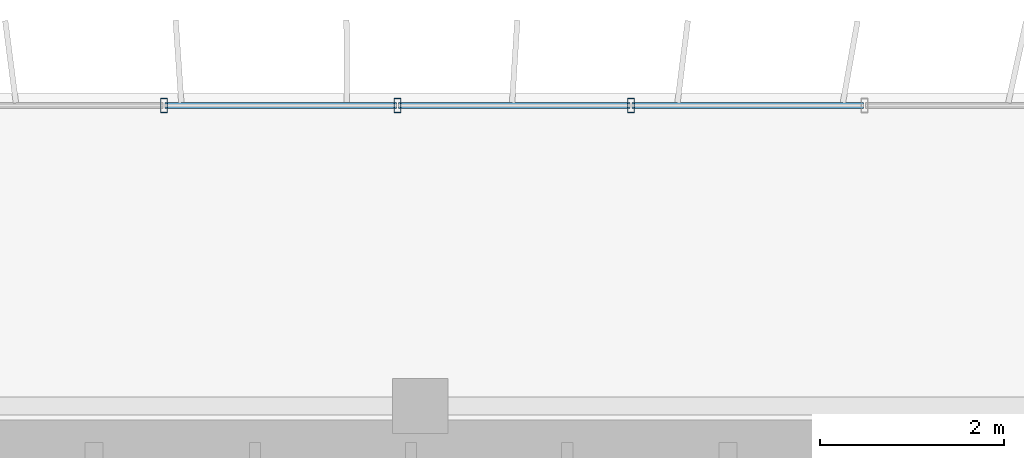
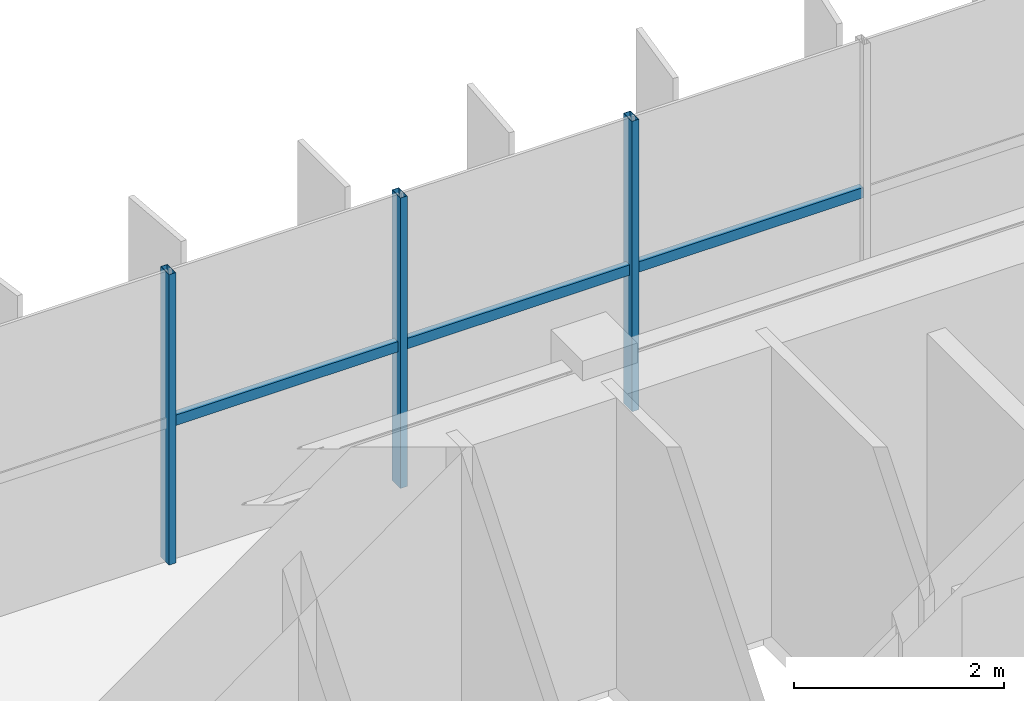
# One storey, part 11 of 22: 6 members, 1 element without a shape of its own.
"""IFC4 building model written with IfcOpenShell, lengths in metres."""

import ifcopenshell
import ifcopenshell.guid

model = None  # the IFC model being written
_history = None  # IfcOwnerHistory: only IFC2X3 demands one
_inside = {}  # id of a spatial element -> (the spatial element, [elements in it])
_under = {}  # id of a project, library or spatial element -> (it, [spatial elements below it])
_declared = {}  # id of a project -> (the project, [libraries it declares])
_typed = {}  # id of a type object -> (the type object, [elements of that type])
_made_of = {}  # id of a material, layer set ... -> (it, [elements and type objects made of it])


def new_model(schema):
    """Start an empty IFC model of exactly this schema.

    Asked for "IFC4X3", IfcOpenShell would pick the latest addendum, in which some entities
    have other attributes; the version numbers below select the first issue.
    IFC2X3 requires an IfcOwnerHistory on every rooted entity: one is made here for all.
    """
    global model, _history
    if schema == "IFC4X3":
        model = ifcopenshell.file(schema_version=(4, 3, 0, 0))
    else:
        model = ifcopenshell.file(schema=schema)
    _inside.clear()
    _under.clear()
    _declared.clear()
    _typed.clear()
    _made_of.clear()
    _history = None
    if model.schema == "IFC2X3":
        org = make("IfcOrganization", Name="unknown")
        user = make(
            "IfcPersonAndOrganization",
            ThePerson=make("IfcPerson", FamilyName="unknown"),
            TheOrganization=org,
        )
        app = make(
            "IfcApplication",
            ApplicationDeveloper=org,
            Version="unknown",
            ApplicationFullName="unknown",
            ApplicationIdentifier="unknown",
        )
        _history = make(
            "IfcOwnerHistory",
            OwningUser=user,
            OwningApplication=app,
            ChangeAction="ADDED",
            CreationDate=0,
        )
    return model


def make(cls, **values):
    """One entity of the class cls with the attributes given. An attribute that is None is left unset."""
    return model.create_entity(
        cls, **{name: value for name, value in values.items() if value is not None}
    )


def rooted(cls, **values):
    """An entity with a GlobalId (a new one), such as an element, a storey or a relation."""
    return make(cls, GlobalId=ifcopenshell.guid.new(), OwnerHistory=_history, **values)


def si_unit(unit_type, name, prefix=None):
    """IfcSIUnit, for example si_unit("LENGTHUNIT", "METRE", prefix="MILLI")."""
    return make("IfcSIUnit", UnitType=unit_type, Prefix=prefix, Name=name)


def assignment(units):
    """IfcUnitAssignment: the units of a project."""
    return None if units is None else make("IfcUnitAssignment", Units=units)


def point(xyz):
    """IfcCartesianPoint."""
    return None if xyz is None else make("IfcCartesianPoint", Coordinates=xyz)


def direction(xyz):
    """IfcDirection."""
    return None if xyz is None else make("IfcDirection", DirectionRatios=xyz)


def frame(location, z_axis=None, x_axis=None):
    """IfcAxis2Placement3D, a coordinate frame: its origin and axes. An axis left out is left unset."""
    return make(
        "IfcAxis2Placement3D",
        Location=point(location),
        Axis=direction(z_axis),
        RefDirection=direction(x_axis),
    )


def frame_2d(location, x_axis=None):
    """IfcAxis2Placement2D, a coordinate frame in the plane: its origin and x axis."""
    return make(
        "IfcAxis2Placement2D", Location=point(location), RefDirection=direction(x_axis)
    )


def origin():
    """The frame at (0, 0, 0) with its axes left unset."""
    return frame((0.0, 0.0, 0.0))


def origin_2d():
    """The frame at (0, 0) in the plane with its x axis left unset."""
    return frame_2d((0.0, 0.0))


def place(relative_to, where):
    """IfcLocalPlacement: puts the frame where relative to a parent placement (None: the world)."""
    return make(
        "IfcLocalPlacement", PlacementRelTo=relative_to, RelativePlacement=where
    )


def context(
    kind, dimensions, precision=None, world=None, true_north=None, identifier=None
):
    """IfcGeometricRepresentationContext, for example the 3D "Model" context."""
    return make(
        "IfcGeometricRepresentationContext",
        ContextIdentifier=identifier,
        ContextType=kind,
        CoordinateSpaceDimension=dimensions,
        Precision=precision,
        WorldCoordinateSystem=world,
        TrueNorth=true_north,
    )


def subcontext(parent, identifier, kind, view, scale=None):
    """IfcGeometricRepresentationSubContext, for example "Body" below "Model"."""
    return make(
        "IfcGeometricRepresentationSubContext",
        ContextIdentifier=identifier,
        ContextType=kind,
        ParentContext=parent,
        TargetScale=scale,
        TargetView=view,
    )


def project(units=None, contexts=None):
    """IfcProject with its units and contexts."""
    return rooted(
        "IfcProject",
        Name="project",
        RepresentationContexts=contexts,
        UnitsInContext=assignment(units),
    )


def spatial(cls, under=None, at=None, **own):
    """A site, building, storey or space (cls), placed at a placement, below another one or the project."""
    s = rooted(cls, ObjectPlacement=at, **own)
    if under is not None:
        _under.setdefault(under.id(), (under, []))[1].append(s)
    return s


def profile(cls, at=None, kind="AREA", **sizes):
    """A parametric profile (cls). Its sizes go by their IFC names, for example OverallWidth=200.0."""
    return make(cls, ProfileType=kind, Position=at, **sizes)


def hollow_rectangle(**sizes):
    """IfcRectangleHollowProfileDef."""
    return profile("IfcRectangleHollowProfileDef", **sizes)


def extrude(swept, where, along, depth):
    """IfcExtrudedAreaSolid: the profile swept, set in the frame where, extruded along a direction by depth."""
    return make(
        "IfcExtrudedAreaSolid",
        SweptArea=swept,
        Position=where,
        ExtrudedDirection=direction(along),
        Depth=depth,
    )


def shape(context_of_items, identifier, shape_type, items):
    """IfcShapeRepresentation: the items that make up one representation, for example the "Body"."""
    return make(
        "IfcShapeRepresentation",
        ContextOfItems=context_of_items,
        RepresentationIdentifier=identifier,
        RepresentationType=shape_type,
        Items=items,
    )


def source(mapping_origin, context_of_items, identifier, shape_type, items):
    """IfcRepresentationMap: a shape defined once, which mapped items show again and again."""
    return make(
        "IfcRepresentationMap",
        MappingOrigin=mapping_origin,
        MappedRepresentation=shape(context_of_items, identifier, shape_type, items),
    )


def transform(
    local_origin,
    x_axis=None,
    y_axis=None,
    z_axis=None,
    scale=None,
    scale2=None,
    scale3=None,
    uniform=True,
):
    """IfcCartesianTransformationOperator3D, or its non-uniform kind. x_axis, y_axis, z_axis: its Axis1, 2, 3."""
    if uniform:
        return make(
            "IfcCartesianTransformationOperator3D",
            Axis1=direction(x_axis),
            Axis2=direction(y_axis),
            LocalOrigin=point(local_origin),
            Scale=scale,
            Axis3=direction(z_axis),
        )
    return make(
        "IfcCartesianTransformationOperator3DnonUniform",
        Axis1=direction(x_axis),
        Axis2=direction(y_axis),
        LocalOrigin=point(local_origin),
        Scale=scale,
        Axis3=direction(z_axis),
        Scale2=scale2,
        Scale3=scale3,
    )


def mapped(mapping_source, mapping_target):
    """IfcMappedItem: shows the shape of a source again, moved by a transform."""
    return make(
        "IfcMappedItem", MappingSource=mapping_source, MappingTarget=mapping_target
    )


def material(Name=None, Category=None):
    """IfcMaterial."""
    return make("IfcMaterial", Name=Name, Category=Category)


def material_profile(
    of_material, cross_section, Name=None, Category=None, Priority=None
):
    """IfcMaterialProfile: a cross section and its material."""
    return make(
        "IfcMaterialProfile",
        Name=Name,
        Material=of_material,
        Profile=cross_section,
        Priority=Priority,
        Category=Category,
    )


def profile_set(profiles, Name=None, composite=None):
    """IfcMaterialProfileSet."""
    return make(
        "IfcMaterialProfileSet",
        Name=Name,
        MaterialProfiles=profiles,
        CompositeProfile=composite,
    )


def made_of(thing, what):
    """Note that an element or type object is made of a material, layer set ...; save() writes the relation."""
    if what is not None:
        _made_of.setdefault(what.id(), (what, []))[1].append(thing)
    return thing


def type_object(cls, material=None, **own):
    """A type object (cls), such as IfcWallType, which elements share."""
    return made_of(rooted(cls, **own), material)


def element(
    cls,
    number,
    at=None,
    inside=None,
    cuts=None,
    type_object=None,
    material=None,
    context=None,
    identifier="Body",
    shape_type=None,
    held_by="IfcProductDefinitionShape",
    body=None,
    shapes=None,
    **own,
):
    """One element of the class cls, such as IfcWall. Its Tag is "e" and its number.

    at: its placement. inside: the storey or other place that contains it. cuts: it is an
    opening in that element (IfcRelVoidsElement). A single representation is given by context,
    identifier, shape_type and body (its items); several are given by shapes. held_by: the class
    of the entity that holds the representations. save() writes the other relations.
    """
    e = rooted(cls, Tag="e%d" % number, ObjectPlacement=at, **own)
    if body is not None:
        shapes = [shape(context, identifier, shape_type, body)]
    if shapes is not None:
        e.Representation = make(held_by, Representations=shapes)
    if inside is not None:
        _inside.setdefault(inside.id(), (inside, []))[1].append(e)
    if cuts is not None:
        rooted(
            "IfcRelVoidsElement", RelatingBuildingElement=cuts, RelatedOpeningElement=e
        )
    if type_object is not None:
        _typed.setdefault(type_object.id(), (type_object, []))[1].append(e)
    return made_of(e, material)


def aggregate(whole, parts):
    """IfcRelAggregates: a whole, such as a stair, and the parts it consists of."""
    return rooted("IfcRelAggregates", RelatingObject=whole, RelatedObjects=parts)


def save(model, path):
    """Write the relations noted so far, then the file.

    IfcRelAggregates (storeys below a building ...), IfcRelContainedInSpatialStructure (elements
    in a storey), IfcRelDefinesByType, IfcRelAssociatesMaterial and IfcRelDeclares: one each for
    every whole, place, type object, material and project.
    """
    for whole, parts in _under.values():
        aggregate(whole, parts)
    for where, things in _inside.values():
        rooted(
            "IfcRelContainedInSpatialStructure",
            RelatedElements=things,
            RelatingStructure=where,
        )
    for kind, things in _typed.values():
        rooted("IfcRelDefinesByType", RelatedObjects=things, RelatingType=kind)
    for what, things in _made_of.values():
        rooted("IfcRelAssociatesMaterial", RelatedObjects=things, RelatingMaterial=what)
    for by, libraries in _declared.values():
        rooted("IfcRelDeclares", RelatingContext=by, RelatedDefinitions=libraries)
    model.write(path)


model = new_model("IFC4")

# Units and contexts
model_context = context("Model", 3, precision=1e-05, world=origin(), true_north=direction((0.0, 1.0)))
body_context = subcontext(model_context, "Body", "Model", "MODEL_VIEW")
ifc_project = project(units=[si_unit("LENGTHUNIT", "METRE"), si_unit("AREAUNIT", "SQUARE_METRE"), si_unit("VOLUMEUNIT", "CUBIC_METRE"), si_unit("PLANEANGLEUNIT", "RADIAN"), si_unit("MASSUNIT", "GRAM", prefix="KILO")], contexts=[model_context])

# Site, building, storey
site_placement = place(None, origin())
site = spatial("IfcSite", under=ifc_project, at=site_placement, CompositionType="ELEMENT")
building_placement = place(site_placement, origin())
building = spatial("IfcBuilding", under=site, at=building_placement, Name="Trelvane Seafront Commons", CompositionType="ELEMENT")
storey_placement = place(building_placement, frame((0.0, 0.0, 277.5)))
storey = spatial("IfcBuildingStorey", under=building, at=storey_placement, Name="L72", CompositionType="ELEMENT", Elevation=277.5)

# Curtain wall, members
ifc_material = material(Name="Anodised pale-silver aluminium", Category="aluminium")
curtain_wall_type = type_object("IfcCurtainWallType", Name="ARCH-CW5-UPTOWER", PredefinedType="NOTDEFINED", material=ifc_material)
curtain_wall_placement = place(storey_placement, origin())
curtain_wall = element("IfcCurtainWall", 1, at=curtain_wall_placement, inside=storey, type_object=curtain_wall_type, Name="CW-L72-0116", PredefinedType="NOTDEFINED")
ifc_material_profile_1 = material_profile(ifc_material, hollow_rectangle(XDim=0.070068359375, YDim=0.1201171875, WallThickness=0.00390625, at=origin_2d()), Name="TRAN-70x120x4")
ifc_profile_set_1 = profile_set([ifc_material_profile_1], Name="Anodised pale-silver aluminium")
member_type_1 = type_object("IfcMemberType", Name="ARCH-CW-TRAN-120", PredefinedType="USERDEFINED", material=ifc_profile_set_1)
shared_shape_1 = source(origin(), body_context, "Body", "SweptSolid", [
    extrude(hollow_rectangle(XDim=0.070068359375, YDim=0.1201171875, WallThickness=0.00390625, at=origin_2d()), origin(), (0.0, 0.0, 1.0), 2.51708984375),
])
member_1_placement = place(storey_placement, frame((43.56494140625, 48.3701171875, 1.617919921875), z_axis=(1.0, 0.0, 0.0), x_axis=(0.0, 1.0, 0.0)))
member_1 = element("IfcMember", 2, at=member_1_placement, type_object=member_type_1, Name="CW-L72-0116-T11", ObjectType="TRANSOM", PredefinedType="USERDEFINED", context=body_context, shape_type="MappedRepresentation", body=[
    mapped(shared_shape_1, transform((0.0, 0.0, 0.0), x_axis=(1.0, 0.0, 0.0), y_axis=(0.0, 1.0, 0.0), z_axis=(0.0, 0.0, 1.0), scale=1.0)),
])
member_2_placement = place(storey_placement, frame((46.106201171875, 48.3701171875, 1.617919921875), z_axis=(1.0, 0.0, 0.0), x_axis=(0.0, 1.0, 0.0)))
member_2 = element("IfcMember", 3, at=member_2_placement, type_object=member_type_1, Name="CW-L72-0116-T12", ObjectType="TRANSOM", PredefinedType="USERDEFINED", context=body_context, shape_type="MappedRepresentation", body=[
    mapped(shared_shape_1, transform((0.0, 0.0, 0.0), x_axis=(1.0, 0.0, 0.0), y_axis=(0.0, 1.0, 0.0), z_axis=(0.0, 0.0, 1.0), scale=1.0)),
])
shared_shape_2 = source(origin(), body_context, "Body", "SweptSolid", [
    extrude(hollow_rectangle(XDim=0.070068359375, YDim=0.1201171875, WallThickness=0.00390625, at=origin_2d()), origin(), (0.0, 0.0, 1.0), 2.517333984375),
])
member_3_placement = place(storey_placement, frame((41.023681640625, 48.3701171875, 1.617919921875), z_axis=(1.0, 0.0, 0.0), x_axis=(0.0, 1.0, 0.0)))
member_3 = element("IfcMember", 4, at=member_3_placement, type_object=member_type_1, Name="CW-L72-0116-T10", ObjectType="TRANSOM", PredefinedType="USERDEFINED", context=body_context, shape_type="MappedRepresentation", body=[
    mapped(shared_shape_2, transform((0.0, 0.0, 0.0), x_axis=(1.0, 0.0, 0.0), y_axis=(0.0, 1.0, 0.0), z_axis=(0.0, 0.0, 1.0), scale=1.0)),
])
ifc_material_profile_2 = material_profile(ifc_material, hollow_rectangle(XDim=0.074951171875, YDim=0.159912109375, WallThickness=0.00390625, at=origin_2d()), Name="MULL-75x160x4")
ifc_profile_set_2 = profile_set([ifc_material_profile_2], Name="Anodised pale-silver aluminium")
member_type_2 = type_object("IfcMemberType", Name="ARCH-CW-MULL-160", PredefinedType="MULLION", material=ifc_profile_set_2)
shared_shape_3 = source(origin(), body_context, "Body", "SweptSolid", [
    extrude(hollow_rectangle(XDim=0.074951171875, YDim=0.159912109375, WallThickness=0.00390625, at=origin_2d()), origin(), (0.0, 0.0, 1.0), 3.3701171875),
])
member_4_placement = place(storey_placement, frame((41.01171875, 48.3701171875, 0.0), z_axis=(0.0, 0.0, 1.0), x_axis=(1.0, 0.0, 0.0)))
member_4 = element("IfcMember", 5, at=member_4_placement, type_object=member_type_2, Name="CW-L72-0116-M10", PredefinedType="MULLION", context=body_context, shape_type="MappedRepresentation", body=[
    mapped(shared_shape_3, transform((0.0, 0.0, 0.0), x_axis=(1.0, 0.0, 0.0), y_axis=(0.0, 1.0, 0.0), z_axis=(0.0, 0.0, 1.0), scale=1.0)),
])
member_5_placement = place(storey_placement, frame((43.552978515625, 48.3701171875, 0.0), z_axis=(0.0, 0.0, 1.0), x_axis=(1.0, 0.0, 0.0)))
member_5 = element("IfcMember", 6, at=member_5_placement, type_object=member_type_2, Name="CW-L72-0116-M11", PredefinedType="MULLION", context=body_context, shape_type="MappedRepresentation", body=[
    mapped(shared_shape_3, transform((0.0, 0.0, 0.0), x_axis=(1.0, 0.0, 0.0), y_axis=(0.0, 1.0, 0.0), z_axis=(0.0, 0.0, 1.0), scale=1.0)),
])
member_6_placement = place(storey_placement, frame((46.093994140625, 48.3701171875, 0.0), z_axis=(0.0, 0.0, 1.0), x_axis=(1.0, 0.0, 0.0)))
member_6 = element("IfcMember", 7, at=member_6_placement, type_object=member_type_2, Name="CW-L72-0116-M12", PredefinedType="MULLION", context=body_context, shape_type="MappedRepresentation", body=[
    mapped(shared_shape_3, transform((0.0, 0.0, 0.0), x_axis=(1.0, 0.0, 0.0), y_axis=(0.0, 1.0, 0.0), z_axis=(0.0, 0.0, 1.0), scale=1.0)),
])
aggregate(curtain_wall, [member_4, member_5, member_6, member_3, member_1, member_2])

save(model, "model.ifc")
